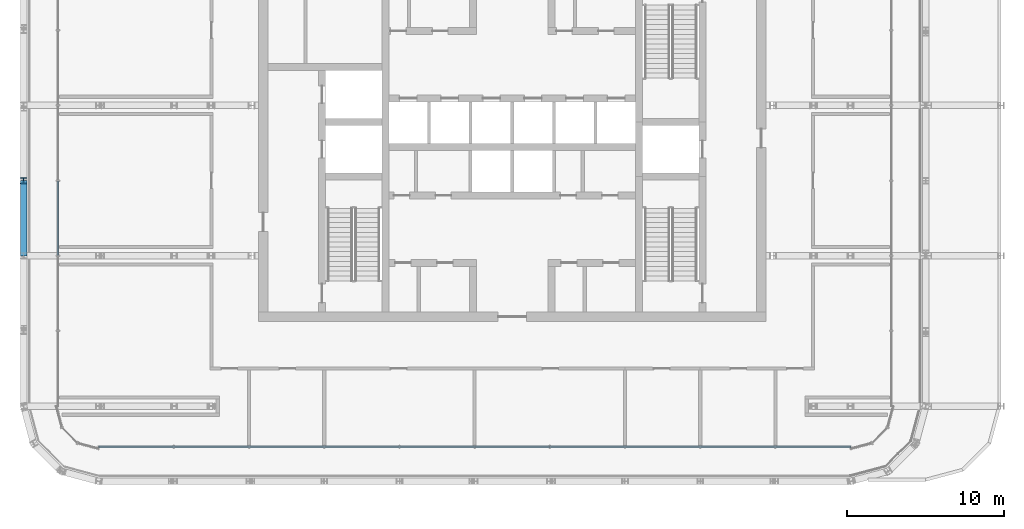
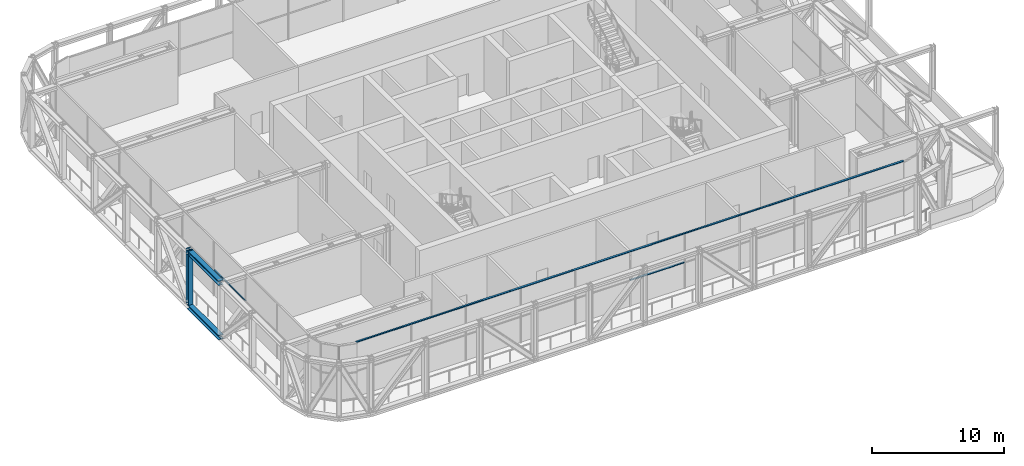
# One storey, part 3 of 26: 6 members, 2 elements without a shape of their own.
"""IFC4 building model written with IfcOpenShell, lengths in metres."""

from ifc_helpers import new_model, si_unit, direction, frame, origin, origin_2d, place, context, subcontext, project, spatial, rectangle, i_section, extrude, material, layer, layer_set, material_profile, profile_set, type_object, element, aggregate, save


model = new_model("IFC4")

# Units and contexts
model_context = context("Model", 3, precision=1e-05, world=origin(), true_north=direction((0.0, 1.0)))
body_context = subcontext(model_context, "Body", "Model", "MODEL_VIEW")
ifc_project = project(units=[si_unit("LENGTHUNIT", "METRE"), si_unit("AREAUNIT", "SQUARE_METRE"), si_unit("VOLUMEUNIT", "CUBIC_METRE"), si_unit("PLANEANGLEUNIT", "RADIAN"), si_unit("MASSUNIT", "GRAM", prefix="KILO")], contexts=[model_context])

# Site, building, storey
site_placement = place(None, origin())
site = spatial("IfcSite", under=ifc_project, at=site_placement, CompositionType="ELEMENT")
building_placement = place(site_placement, origin())
building = spatial("IfcBuilding", under=site, at=building_placement, Name="Madar Terraces", CompositionType="ELEMENT")
storey_placement = place(building_placement, frame((0.0, 0.0, 233.300048828125)))
storey = spatial("IfcBuildingStorey", under=building, at=storey_placement, Name="L61", CompositionType="ELEMENT", Elevation=233.300048828125)

# Member
ifc_material_1 = material(Name="Steel ASTM A992 Grade 50", Category="steel")
ifc_material_profile_1 = material_profile(ifc_material_1, i_section(OverallWidth=0.408935546875, OverallDepth=0.424072265625, WebThickness=0.03271484375, FlangeThickness=0.052490234375, at=origin_2d()), Name="W14x283")
ifc_profile_set_1 = profile_set([ifc_material_profile_1], Name="Steel ASTM A992 Grade 50")
member_type_1 = type_object("IfcMemberType", Name="BC8 W14x283", PredefinedType="CHORD", material=ifc_profile_set_1)
member_1_placement = place(storey_placement, frame((0.0, 24.0, -0.2080078125), z_axis=(0.0, -1.0, 0.0), x_axis=(1.0, 0.0, 0.0)))
element("IfcMember", 1, at=member_1_placement, inside=storey, type_object=member_type_1, Name="Exoskeleton truss ring bottom chord BC8", PredefinedType="CHORD", context=body_context, shape_type="SweptSolid", body=[
    extrude(i_section(OverallWidth=0.408935546875, OverallDepth=0.424072265625, WebThickness=0.03271484375, FlangeThickness=0.052490234375, at=origin_2d()), origin(), (0.0, 0.0, 1.0), 4.800048828125),
])

# Curtain wall, members
ifc_material_2 = material(Name="Glass, ceramic frit dark grey, with black aluminium frame", Category="aluminium")
ifc_layer = layer(ifc_material_2, 0.199951171875)
ifc_layer_set = layer_set([ifc_layer], Name="Facade curtain wall, tall glazing")
curtain_wall_type = type_object("IfcCurtainWallType", Name="Facade curtain wall, tall glazing", PredefinedType="NOTDEFINED", material=ifc_layer_set)
curtain_wall_1_placement = place(storey_placement, origin())
curtain_wall_1 = element("IfcCurtainWall", 2, at=curtain_wall_1_placement, inside=storey, type_object=curtain_wall_type, Name="Outer skin curtain wall south bay 1", PredefinedType="NOTDEFINED")
ifc_material_3 = material(Name="Aluminium, black anodised", Category="aluminium")
ifc_material_profile_2 = material_profile(ifc_material_3, rectangle(XDim=0.1201171875, YDim=0.06005859375, at=origin_2d()), Name="Facade transom 60x120")
ifc_profile_set_2 = profile_set([ifc_material_profile_2], Name="Aluminium, black anodised")
member_type_2 = type_object("IfcMemberType", Name="Facade transom 60x120", PredefinedType="USERDEFINED", material=ifc_profile_set_2)
member_2_placement = place(storey_placement, frame((4.800048828125, 7.0, 5.070068359375), z_axis=(1.0, 0.0, 0.0), x_axis=(0.0, 1.0, 0.0)))
member_2 = element("IfcMember", 3, at=member_2_placement, type_object=member_type_2, Name="Transom 1", ObjectType="TRANSOM", PredefinedType="USERDEFINED", context=body_context, shape_type="SweptSolid", body=[
    extrude(rectangle(XDim=0.1201171875, YDim=0.06005859375, at=origin_2d()), origin(), (0.0, 0.0, 1.0), 48.0),
])
member_3_placement = place(storey_placement, frame((28.830078125, 7.0, 2.39990234375), z_axis=(1.0, 0.0, 0.0), x_axis=(0.0, 1.0, 0.0)))
member_3 = element("IfcMember", 4, at=member_3_placement, type_object=member_type_2, Name="Transom 7", ObjectType="TRANSOM", PredefinedType="USERDEFINED", context=body_context, shape_type="SweptSolid", body=[
    extrude(rectangle(XDim=0.1201171875, YDim=0.06005859375, at=origin_2d()), origin(), (0.0, 0.0, 1.0), 4.739990234375),
])
aggregate(curtain_wall_1, [member_2, member_3])

# Curtain wall, member
curtain_wall_2_placement = place(storey_placement, origin())
curtain_wall_2 = element("IfcCurtainWall", 5, at=curtain_wall_2_placement, inside=storey, type_object=curtain_wall_type, Name="Outer skin curtain wall west bay 1", PredefinedType="NOTDEFINED")
member_4_placement = place(storey_placement, frame((2.199951171875, 23.969970703125, 2.39990234375), z_axis=(0.0, -1.0, 0.0), x_axis=(1.0, 0.0, 0.0)))
member_4 = element("IfcMember", 6, at=member_4_placement, type_object=member_type_2, Name="Transom 7", ObjectType="TRANSOM", PredefinedType="USERDEFINED", context=body_context, shape_type="SweptSolid", body=[
    extrude(rectangle(XDim=0.1201171875, YDim=0.06005859375, at=origin_2d()), origin(), (0.0, 0.0, 1.0), 4.739990234375),
])
aggregate(curtain_wall_2, [member_4])

# Members
ifc_material_4 = material(Name="Steel ASTM A992 Grade 50", Category="steel")
ifc_material_profile_3 = material_profile(ifc_material_4, i_section(OverallWidth=0.40380859375, OverallDepth=0.406494140625, WebThickness=0.027099609375, FlangeThickness=0.043701171875, at=origin_2d()), Name="W14x233")
ifc_profile_set_3 = profile_set([ifc_material_profile_3], Name="Steel ASTM A992 Grade 50")
member_type_3 = type_object("IfcMemberType", Name="TC8 W14x233", PredefinedType="CHORD", material=ifc_profile_set_3)
member_5_placement = place(storey_placement, frame((0.0, 24.0, 4.82666015625), z_axis=(0.0, -1.0, 0.0), x_axis=(1.0, 0.0, 0.0)))
element("IfcMember", 7, at=member_5_placement, inside=storey, type_object=member_type_3, Name="Exoskeleton truss ring top chord TC8", PredefinedType="CHORD", context=body_context, shape_type="SweptSolid", body=[
    extrude(i_section(OverallWidth=0.40380859375, OverallDepth=0.406494140625, WebThickness=0.027099609375, FlangeThickness=0.043701171875, at=origin_2d()), origin(), (0.0, 0.0, 1.0), 4.800048828125),
])
ifc_material_5 = material(Name="Steel ASTM A992 Grade 50", Category="steel")
ifc_material_profile_4 = material_profile(ifc_material_5, i_section(OverallWidth=0.398681640625, OverallDepth=0.393798828125, WebThickness=0.022705078125, FlangeThickness=0.03662109375, at=origin_2d()), Name="W14x193")
ifc_profile_set_4 = profile_set([ifc_material_profile_4], Name="Steel ASTM A992 Grade 50")
member_type_4 = type_object("IfcMemberType", Name="TV8 W14x193", PredefinedType="POST", material=ifc_profile_set_4)
member_6_placement = place(storey_placement, frame((0.0, 24.0, 0.004150390625), z_axis=(0.0, 0.0, 1.0), x_axis=(1.0, 0.0, 0.0)))
element("IfcMember", 8, at=member_6_placement, inside=storey, type_object=member_type_4, Name="Exoskeleton truss ring post TV8", PredefinedType="POST", context=body_context, shape_type="SweptSolid", body=[
    extrude(i_section(OverallWidth=0.398681640625, OverallDepth=0.393798828125, WebThickness=0.022705078125, FlangeThickness=0.03662109375, at=origin_2d()), origin(), (0.0, 0.0, 1.0), 5.095703125),
])

save(model, "model.ifc")
